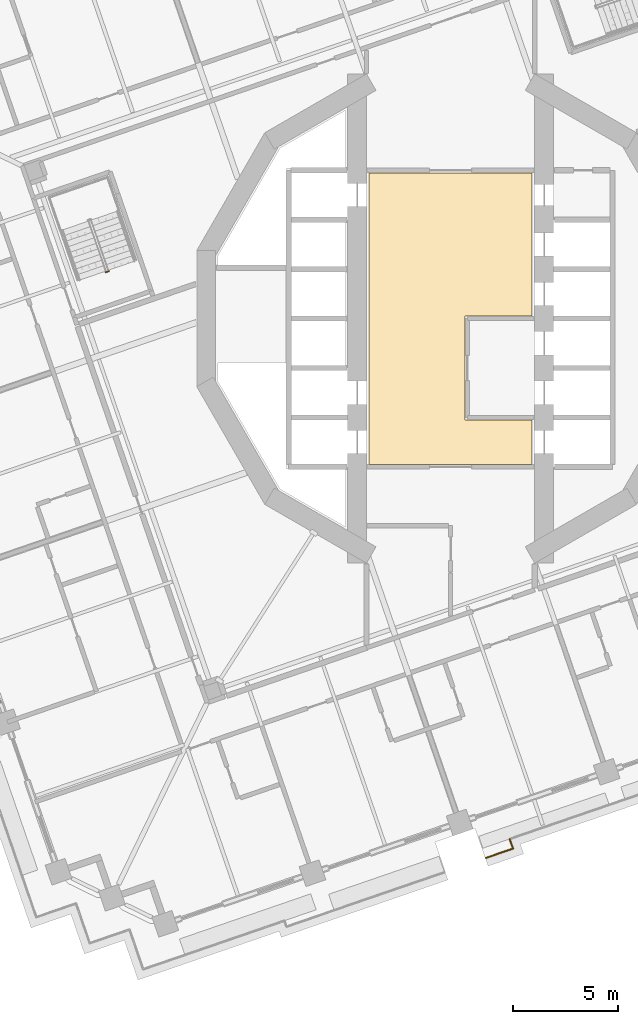
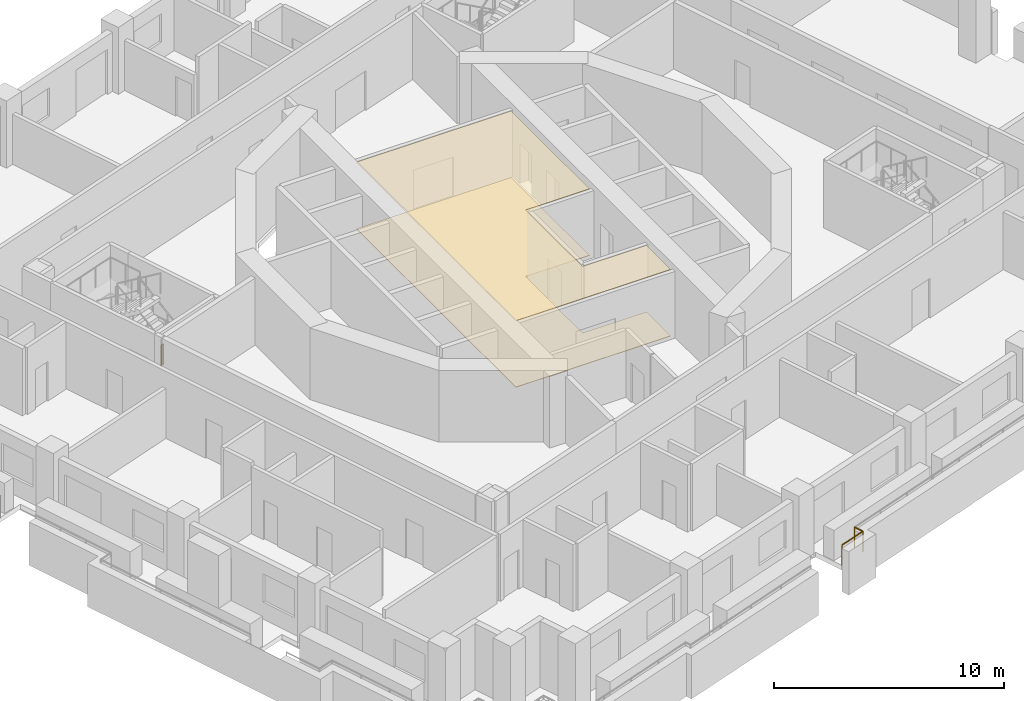
# One storey, part 13 of 19: 2 coverings, 2 railings.
"""IFC4 building model written with IfcOpenShell, lengths in metres."""

from ifc_helpers import new_model, si_unit, direction, frame, origin, origin_2d, place, context, subcontext, project, spatial, polyline, circle, outline, extrude, material, layer, layer_set, type_object, element, save


model = new_model("IFC4")

# Units and contexts
model_context = context("Model", 3, precision=1e-05, world=origin(), true_north=direction((0.0, 1.0)))
body_context = subcontext(model_context, "Body", "Model", "MODEL_VIEW")
ifc_project = project(units=[si_unit("LENGTHUNIT", "METRE"), si_unit("AREAUNIT", "SQUARE_METRE"), si_unit("VOLUMEUNIT", "CUBIC_METRE"), si_unit("PLANEANGLEUNIT", "RADIAN"), si_unit("MASSUNIT", "GRAM", prefix="KILO")], contexts=[model_context])

# Site, building, storey
site_placement = place(None, origin())
site = spatial("IfcSite", under=ifc_project, at=site_placement, CompositionType="ELEMENT")
building_placement = place(site_placement, origin())
building = spatial("IfcBuilding", under=site, at=building_placement, Name="Cantera Rosa Tower", CompositionType="ELEMENT")
storey_placement = place(building_placement, frame((0.0, 0.0, 111.699951171875)))
storey = spatial("IfcBuildingStorey", under=building, at=storey_placement, Name="L22", CompositionType="ELEMENT", Elevation=111.699951171875)

# Railings
ifc_material_1 = material(Name="Stainless steel and laminated glass", Category="steel")
railing_type_1 = type_object("IfcRailingType", Name="GUARD 1100", PredefinedType="BALUSTRADE", material=ifc_material_1)
railing_1_placement = place(storey_placement, frame((2.8095703125, -24.748291015625, 0.0)))
element("IfcRailing", 1, at=railing_1_placement, inside=storey, type_object=railing_type_1, Name="GUARD L22-3", PredefinedType="BALUSTRADE", context=body_context, shape_type="SweptSolid", body=[
    extrude(circle(Radius=0.030029296875, at=origin_2d()), frame((0.0, 0.0, 1.070068359375), z_axis=(0.325586807373, -0.94551215268, 0.0), x_axis=(0.94551215268, 0.325586807373, 0.0)), (0.0, 0.0, 1.0), 0.484375),
    extrude(circle(Radius=0.030029296875, at=origin_2d()), frame((0.15771484375, -0.4580078125, 1.070068359375), z_axis=(-0.94551689242, -0.325573042723, 0.0), x_axis=(0.325573042723, -0.94551689242, 0.0)), (0.0, 0.0, 1.0), 1.369384765625),
    extrude(circle(Radius=0.02490234375, at=origin_2d()), origin(), (0.0, 0.0, 1.0), 1.0400390625),
    extrude(circle(Radius=0.02490234375, at=origin_2d()), frame((0.15771484375, -0.4580078125, 0.0)), (0.0, 0.0, 1.0), 1.0400390625),
    extrude(circle(Radius=0.02490234375, at=origin_2d()), frame((-1.136962890625, -0.90380859375, 0.0)), (0.0, 0.0, 1.0), 1.0400390625),
])
ifc_material_2 = material(Name="Steel S355J2 (EN 10025-2)", Category="steel")
railing_type_2 = type_object("IfcRailingType", Name="STAIR GUARD 1100", PredefinedType="GUARDRAIL", material=ifc_material_2)
railing_2_placement = place(storey_placement, frame((-16.257080078125, 2.25341796875, 0.0)))
element("IfcRailing", 2, at=railing_2_placement, inside=storey, type_object=railing_type_2, Name="L22 ST-22 stair guard 3", PredefinedType="GUARDRAIL", context=body_context, shape_type="SweptSolid", body=[
    extrude(circle(Radius=0.02392578125, at=origin_2d()), frame((0.0, 0.0, 1.076171875), z_axis=(-0.945545797087, -0.325489086777, 0.0), x_axis=(0.325489086777, -0.945545797087, 0.0)), (0.0, 0.0, 1.0), 0.14990234375),
    extrude(circle(Radius=0.02099609375, at=origin_2d()), origin(), (0.0, 0.0, 1.0), 1.052001953125),
    extrude(circle(Radius=0.02099609375, at=origin_2d()), frame((-0.141845703125, -0.048828125, 0.0)), (0.0, 0.0, 1.0), 1.052001953125),
])

# Coverings
ifc_material_3 = material(Name="Limestone paving", Category="masonry")
ifc_layer_1 = layer(ifc_material_3, 0.02490234375)
ifc_layer_set_1 = layer_set([ifc_layer_1], Name="STONE FLOOR FINISH 25")
covering_type_1 = type_object("IfcCoveringType", Name="STONE FLOOR FINISH 25", PredefinedType="FLOORING", material=ifc_layer_set_1)
covering_1_placement = place(storey_placement, origin())
element("IfcCovering", 3, at=covering_1_placement, inside=storey, type_object=covering_type_1, Name="STONE FLOOR FINISH L22", PredefinedType="FLOORING", context=body_context, shape_type="SweptSolid", body=[
    extrude(outline(polyline([(3.8798828125, 6.929931640625), (3.8798828125, 0.1201171875), (0.679931640625, 0.1201171875), (0.679931640625, -4.820068359375), (3.8798828125, -4.820068359375), (3.8798828125, -6.929931640625), (-3.8798828125, -6.929931640625), (-3.8798828125, 6.929931640625), (3.8798828125, 6.929931640625)])), origin(), (0.0, 0.0, 1.0), 0.025146484375),
])
ifc_material_4 = material(Name="Gypsum ceiling tile")
ifc_layer_2 = layer(ifc_material_4, 0.030029296875)
ifc_layer_set_2 = layer_set([ifc_layer_2], Name="SUSPENDED CEILING 30")
covering_type_2 = type_object("IfcCoveringType", Name="SUSPENDED CEILING 30", PredefinedType="CEILING", material=ifc_layer_set_2)
covering_2_placement = place(storey_placement, frame((0.0, 0.0, 3.52001953125)))
element("IfcCovering", 4, at=covering_2_placement, inside=storey, type_object=covering_type_2, Name="SUSPENDED CEILING L22", PredefinedType="CEILING", context=body_context, shape_type="SweptSolid", body=[
    extrude(outline(polyline([(3.8798828125, 6.929931640625), (3.8798828125, 0.1201171875), (0.679931640625, 0.1201171875), (0.679931640625, -4.820068359375), (3.8798828125, -4.820068359375), (3.8798828125, -6.929931640625), (-3.8798828125, -6.929931640625), (-3.8798828125, 6.929931640625), (3.8798828125, 6.929931640625)])), origin(), (0.0, 0.0, 1.0), 0.030029296875),
])

save(model, "model.ifc")
